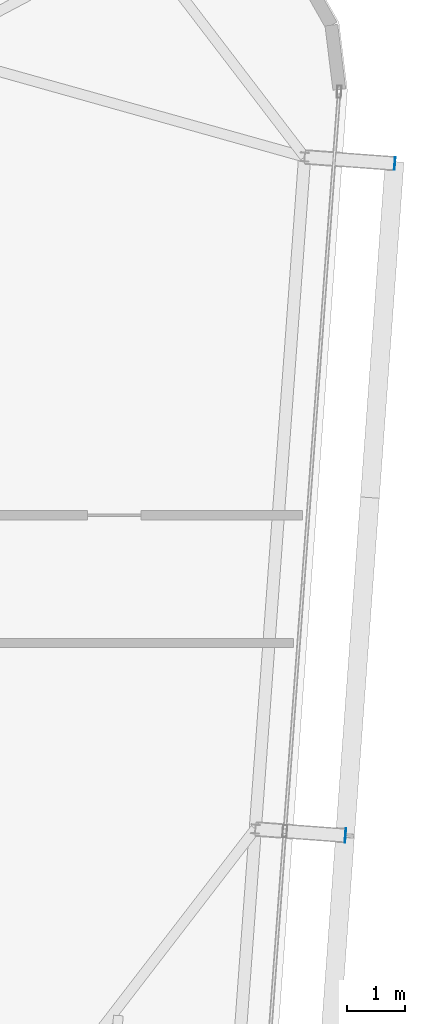
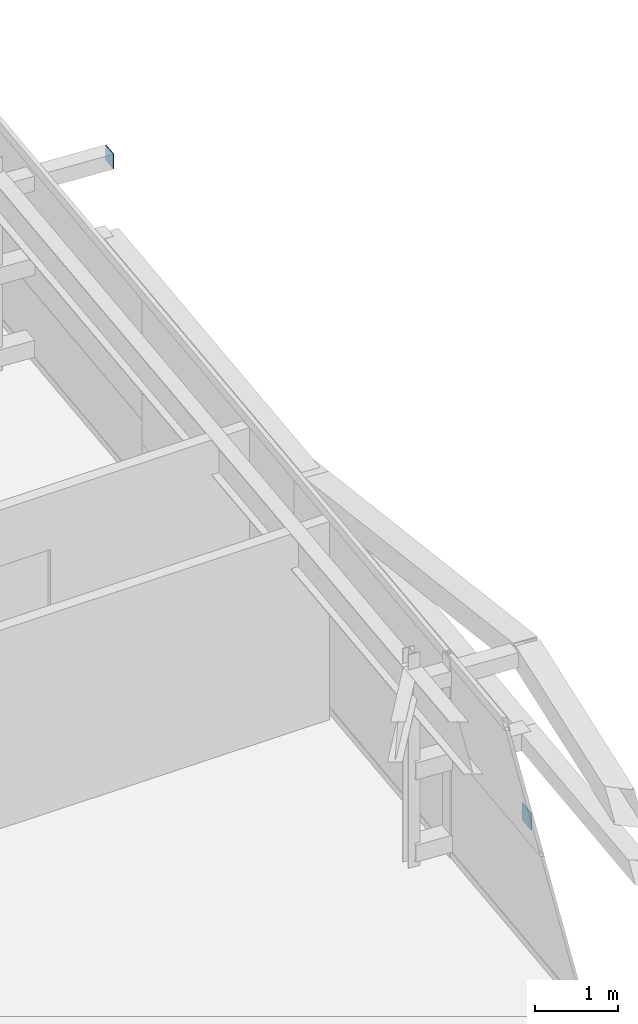
# One storey, part 28 of 35: 2 plates.
"""IFC4 building model written with IfcOpenShell, lengths in metres."""

from ifc_helpers import new_model, si_unit, direction, frame, origin, origin_2d, place, context, subcontext, project, spatial, rectangle, extrude, source, transform, mapped, material, layer, layer_set, type_object, element, save


model = new_model("IFC4")

# Units and contexts
model_context = context("Model", 3, precision=1e-05, world=origin(), true_north=direction((0.0, 1.0)))
body_context = subcontext(model_context, "Body", "Model", "MODEL_VIEW")
ifc_project = project(units=[si_unit("LENGTHUNIT", "METRE"), si_unit("AREAUNIT", "SQUARE_METRE"), si_unit("VOLUMEUNIT", "CUBIC_METRE"), si_unit("PLANEANGLEUNIT", "RADIAN"), si_unit("MASSUNIT", "GRAM", prefix="KILO")], contexts=[model_context])

# Site, building, storey
site_placement = place(None, origin())
site = spatial("IfcSite", under=ifc_project, at=site_placement, CompositionType="ELEMENT")
building_placement = place(site_placement, origin())
building = spatial("IfcBuilding", under=site, at=building_placement, Name="Taldren Reach Tower", CompositionType="ELEMENT")
storey_placement = place(building_placement, frame((0.0, 0.0, 236.60009765625)))
storey = spatial("IfcBuildingStorey", under=building, at=storey_placement, Name="L72", CompositionType="ELEMENT", Elevation=236.60009765625)

# Plates
ifc_material_1 = material(Name="Steel Gr 350 (C350L0)", Category="steel")
ifc_layer_1 = layer(ifc_material_1, 0.011962890625)
ifc_layer_set_1 = layer_set([ifc_layer_1], Name="Steel Gr 350 (C350L0)")
plate_type_1 = type_object("IfcPlateType", Name="PL-CAP-250", PredefinedType="SHEET", material=ifc_layer_set_1)
shared_shape_1 = source(origin(), body_context, "Body", "SweptSolid", [
    extrude(rectangle(XDim=0.011962890625, YDim=0.25, at=origin_2d()), origin(), (0.0, 0.0, 1.0), 0.25),
])
plate_1_placement = place(storey_placement, frame((58.2431640625, 18.48583984375, 0.094970703125), z_axis=(0.0, 0.0, 1.0), x_axis=(0.997314477224, -0.073238197128, 0.0)))
element("IfcPlate", 1, at=plate_1_placement, inside=storey, type_object=plate_type_1, Name="Tie strut end cap plate B5-E2 L72", PredefinedType="SHEET", context=body_context, shape_type="MappedRepresentation", body=[
    mapped(shared_shape_1, transform((0.0, 0.0, 0.0), scale=1.0)),
])
ifc_material_2 = material(Name="Steel Gr 450 (C450L0)", Category="steel")
ifc_layer_2 = layer(ifc_material_2, 0.011962890625)
ifc_layer_set_2 = layer_set([ifc_layer_2], Name="Steel Gr 450 (C450L0)")
plate_type_2 = type_object("IfcPlateType", Name="PL-CAP-220", PredefinedType="SHEET", material=ifc_layer_set_2)
shared_shape_2 = source(origin(), body_context, "Body", "SweptSolid", [
    extrude(rectangle(XDim=0.011962890625, YDim=0.219970703125, at=origin_2d()), origin(), (0.0, 0.0, 1.0), 0.219970703125),
])
plate_2_placement = place(storey_placement, frame((59.0927734375, 30.0546875, 2.5400390625), z_axis=(0.0, 0.0, 1.0), x_axis=(0.997314477224, -0.073238197128, 0.0)))
element("IfcPlate", 2, at=plate_2_placement, inside=storey, type_object=plate_type_2, Name="Tie strut end cap plate B5-E3 L72", PredefinedType="SHEET", context=body_context, shape_type="MappedRepresentation", body=[
    mapped(shared_shape_2, transform((0.0, 0.0, 0.0), scale=1.0)),
])

save(model, "model.ifc")
